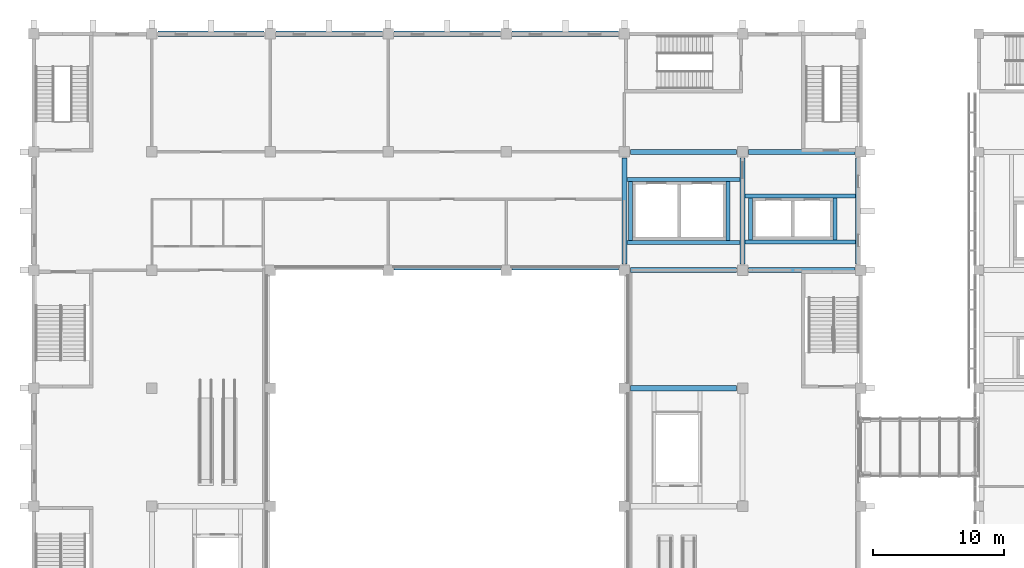
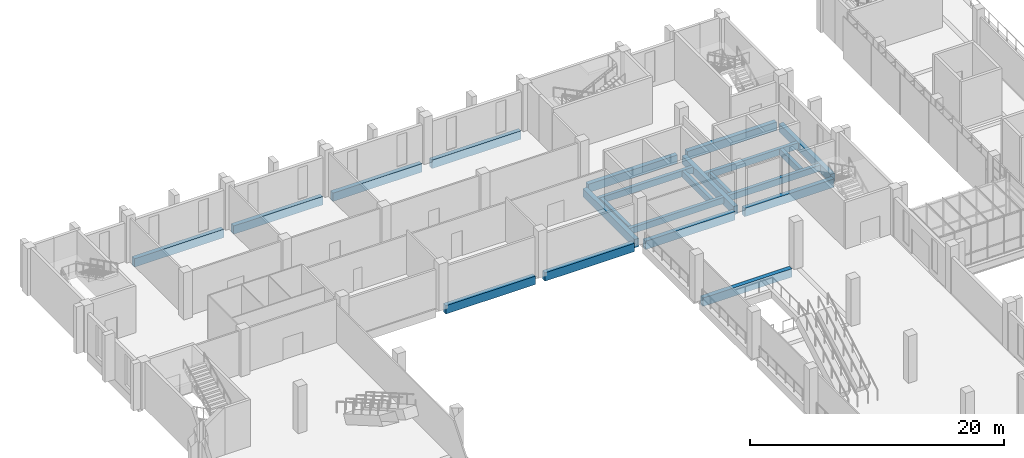
# One storey, part 15 of 106: 22 beams.
"""IFC4 building model written with IfcOpenShell, lengths in metres."""

from ifc_helpers import new_model, si_unit, direction, frame, origin, origin_2d, place, context, subcontext, project, spatial, rectangle, extrude, material, material_profile, profile_set, type_object, element, save


model = new_model("IFC4")

# Units and contexts
model_context = context("Model", 3, precision=1e-05, world=origin(), true_north=direction((0.0, 1.0)))
body_context = subcontext(model_context, "Body", "Model", "MODEL_VIEW")
ifc_project = project(units=[si_unit("LENGTHUNIT", "METRE"), si_unit("AREAUNIT", "SQUARE_METRE"), si_unit("VOLUMEUNIT", "CUBIC_METRE"), si_unit("PLANEANGLEUNIT", "RADIAN"), si_unit("MASSUNIT", "GRAM", prefix="KILO")], contexts=[model_context])

# Site, building, storey
site_placement = place(None, origin())
site = spatial("IfcSite", under=ifc_project, at=site_placement, CompositionType="ELEMENT")
building_placement = place(site_placement, origin())
building = spatial("IfcBuilding", under=site, at=building_placement, Name="Guidao Yard Department Store", CompositionType="ELEMENT")
storey_placement = place(building_placement, frame((0.0, 0.0, 10.5)))
storey = spatial("IfcBuildingStorey", under=building, at=storey_placement, Name="L02", CompositionType="ELEMENT", Elevation=10.5)

# Beams
ifc_material_1 = material(Name="Concrete C40", Category="concrete")
ifc_material_profile_1 = material_profile(ifc_material_1, rectangle(XDim=0.39990234375, YDim=0.800048828125, at=origin_2d()), Name="Edge beam 400 x 800 C40")
ifc_profile_set_1 = profile_set([ifc_material_profile_1], Name="Concrete C40")
beam_type_1 = type_object("IfcBeamType", Name="Edge beam 400 x 800 C40", PredefinedType="BEAM", material=ifc_profile_set_1)
for number, where, z_axis, x_axis, name in (
    (1, (27.449951171875, 90.199951171875, -0.39990234375), (1.0, 0.0, 0.0), (0.0, 1.0, 0.0), "Beam EB27"),
    (2, (36.449951171875, 90.199951171875, -0.39990234375), (1.0, 0.0, 0.0), (0.0, 1.0, 0.0), "Beam EB28"),
    (3, (45.449951171875, 81.0, -0.39990234375), (1.0, 0.0, 0.0), (0.0, 1.0, 0.0), "Beam EB72"),
    (4, (45.449951171875, 90.0, -0.39990234375), (1.0, 0.0, 0.0), (0.0, 1.0, 0.0), "Beam EB74"),
    (5, (45.449951171875, 99.0, -0.39990234375), (1.0, 0.0, 0.0), (0.0, 1.0, 0.0), "Beam EB75"),
    (6, (45.0, 90.449951171875, -0.39990234375), (0.0, 1.0, 0.0), (-1.0, 0.0, 0.0), "Beam EB76"),
    (7, (54.0, 90.449951171875, -0.39990234375), (0.0, 1.0, 0.0), (-1.0, 0.0, 0.0), "Beam EB77"),
    (8, (54.449951171875, 90.0, -0.39990234375), (1.0, 0.0, 0.0), (0.0, 1.0, 0.0), "Beam EB78"),
    (9, (54.449951171875, 99.0, -0.39990234375), (1.0, 0.0, 0.0), (0.0, 1.0, 0.0), "Beam EB79"),
):
    element("IfcBeam", number, at=place(storey_placement, frame(where, z_axis=z_axis, x_axis=x_axis)), inside=storey, type_object=beam_type_1, Name=name, PredefinedType="BEAM", context=body_context, shape_type="SweptSolid", body=[
        extrude(rectangle(XDim=0.39990234375, YDim=0.800048828125, at=origin_2d()), origin(), (0.0, 0.0, 1.0), 8.10009765625),
    ])
ifc_material_2 = material(Name="Concrete C40", Category="concrete")
ifc_material_profile_2 = material_profile(ifc_material_2, rectangle(XDim=0.300048828125, YDim=0.60009765625, at=origin_2d()), Name="Opening beam 300 x 600 C40")
ifc_profile_set_2 = profile_set([ifc_material_profile_2], Name="Concrete C40")
beam_type_2 = type_object("IfcBeamType", Name="Opening beam 300 x 600 C40", PredefinedType="BEAM", material=ifc_profile_set_2)
for number, where, z_axis, x_axis, name in (
    (10, (45.199951171875, 92.10009765625, -0.300048828125), (1.0, 0.0, 0.0), (0.0, 1.0, 0.0), "Beam OB17"),
    (11, (45.199951171875, 96.89990234375, -0.300048828125), (1.0, 0.0, 0.0), (0.0, 1.0, 0.0), "Beam OB18"),
):
    element("IfcBeam", number, at=place(storey_placement, frame(where, z_axis=z_axis, x_axis=x_axis)), inside=storey, type_object=beam_type_2, Name=name, PredefinedType="BEAM", context=body_context, shape_type="SweptSolid", body=[
        extrude(rectangle(XDim=0.300048828125, YDim=0.60009765625, at=origin_2d()), origin(), (0.0, 0.0, 1.0), 8.60009765625),
    ])
for number, where, z_axis, x_axis, name in (
    (12, (45.449951171875, 92.25, -0.300048828125), (0.0, 1.0, 0.0), (-1.0, 0.0, 0.0), "Beam OB19"),
    (13, (52.89990234375, 92.25, -0.300048828125), (0.0, 1.0, 0.0), (-1.0, 0.0, 0.0), "Beam OB20"),
):
    element("IfcBeam", number, at=place(storey_placement, frame(where, z_axis=z_axis, x_axis=x_axis)), inside=storey, type_object=beam_type_2, Name=name, PredefinedType="BEAM", context=body_context, shape_type="SweptSolid", body=[
        extrude(rectangle(XDim=0.300048828125, YDim=0.60009765625, at=origin_2d()), origin(), (0.0, 0.0, 1.0), 4.5),
    ])
for number, where, z_axis, x_axis, name in (
    (14, (54.199951171875, 92.14990234375, -0.300048828125), (1.0, 0.0, 0.0), (0.0, 1.0, 0.0), "Beam OB21"),
    (15, (54.199951171875, 95.64990234375, -0.300048828125), (1.0, 0.0, 0.0), (0.0, 1.0, 0.0), "Beam OB22"),
):
    element("IfcBeam", number, at=place(storey_placement, frame(where, z_axis=z_axis, x_axis=x_axis)), inside=storey, type_object=beam_type_2, Name=name, PredefinedType="BEAM", context=body_context, shape_type="SweptSolid", body=[
        extrude(rectangle(XDim=0.300048828125, YDim=0.60009765625, at=origin_2d()), origin(), (0.0, 0.0, 1.0), 8.400146484375),
    ])
for number, where, z_axis, x_axis, name in (
    (16, (54.60009765625, 92.300048828125, -0.300048828125), (0.0, 1.0, 0.0), (-1.0, 0.0, 0.0), "Beam OB23"),
    (17, (61.050048828125, 92.300048828125, -0.300048828125), (0.0, 1.0, 0.0), (-1.0, 0.0, 0.0), "Beam OB24"),
):
    element("IfcBeam", number, at=place(storey_placement, frame(where, z_axis=z_axis, x_axis=x_axis)), inside=storey, type_object=beam_type_2, Name=name, PredefinedType="BEAM", context=body_context, shape_type="SweptSolid", body=[
        extrude(rectangle(XDim=0.300048828125, YDim=0.60009765625, at=origin_2d()), origin(), (0.0, 0.0, 1.0), 3.199951171875),
    ])
ifc_material_3 = material(Name="Concrete C40", Category="concrete")
ifc_material_profile_3 = material_profile(ifc_material_3, rectangle(XDim=0.39990234375, YDim=0.800048828125, at=origin_2d()), Name="Spandrel beam 400 x 800 C40")
ifc_profile_set_3 = profile_set([ifc_material_profile_3], Name="Concrete C40")
beam_type_3 = type_object("IfcBeamType", Name="Spandrel beam 400 x 800 C40", PredefinedType="SPANDREL", material=ifc_profile_set_3)
for number, where, z_axis, x_axis, name in (
    (18, (9.449951171875, 108.0, -0.39990234375), (1.0, 0.0, 0.0), (0.0, 1.0, 0.0), "Beam EB09"),
    (19, (18.449951171875, 108.0, -0.39990234375), (1.0, 0.0, 0.0), (0.0, 1.0, 0.0), "Beam EB10"),
    (20, (27.449951171875, 108.0, -0.39990234375), (1.0, 0.0, 0.0), (0.0, 1.0, 0.0), "Beam EB11"),
    (21, (36.449951171875, 108.0, -0.39990234375), (1.0, 0.0, 0.0), (0.0, 1.0, 0.0), "Beam EB12"),
    (22, (62.800048828125, 90.449951171875, -0.39990234375), (0.0, 1.0, 0.0), (-1.0, 0.0, 0.0), "Beam EB13"),
):
    element("IfcBeam", number, at=place(storey_placement, frame(where, z_axis=z_axis, x_axis=x_axis)), inside=storey, type_object=beam_type_3, Name=name, PredefinedType="SPANDREL", context=body_context, shape_type="SweptSolid", body=[
        extrude(rectangle(XDim=0.39990234375, YDim=0.800048828125, at=origin_2d()), origin(), (0.0, 0.0, 1.0), 8.10009765625),
    ])

save(model, "model.ifc")
